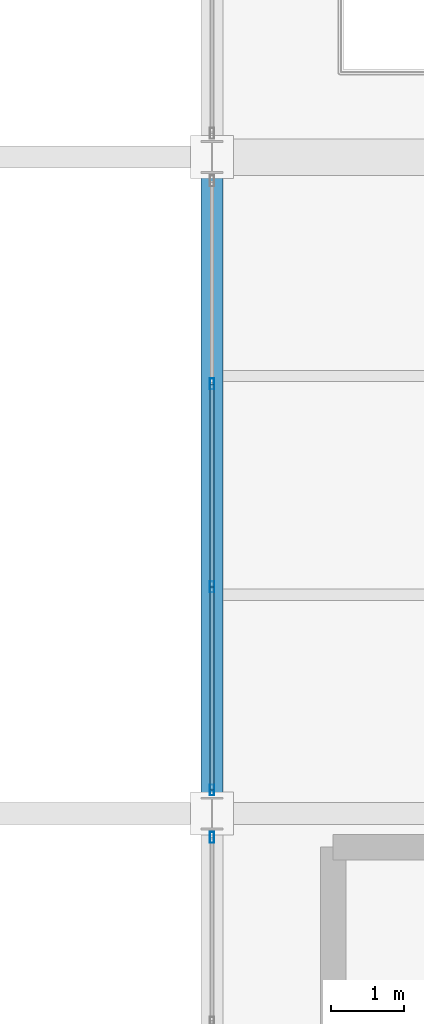
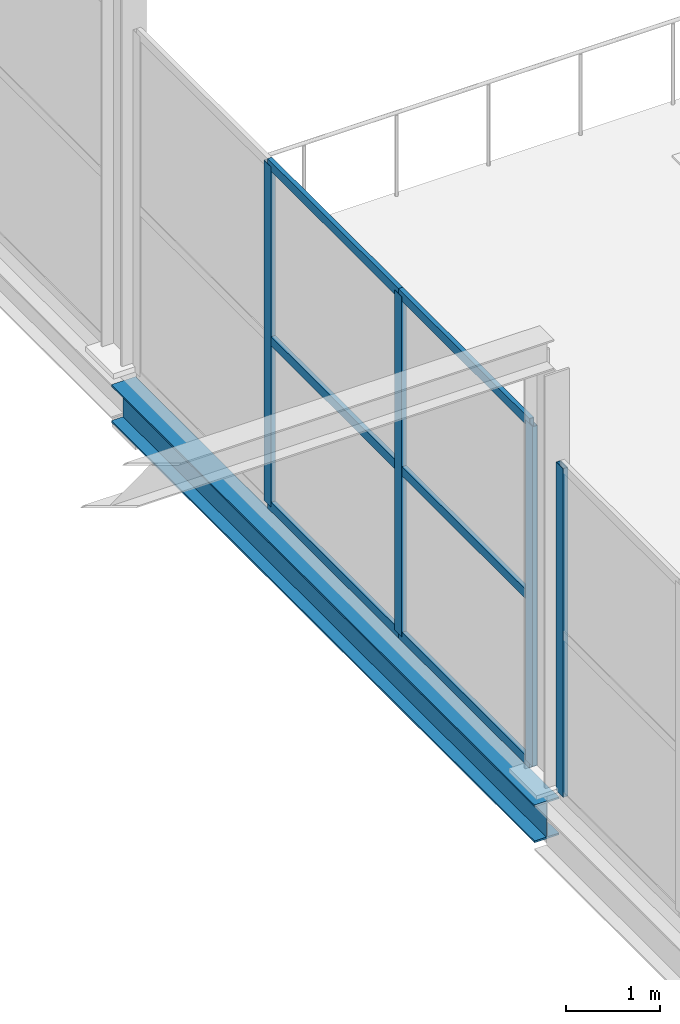
# One storey, part 36 of 147: 10 members, 1 beam, 2 elements without a shape of their own.
"""IFC4 building model written with IfcOpenShell, lengths in metres."""

from ifc_helpers import new_model, si_unit, direction, frame, origin, origin_2d, place, context, subcontext, project, spatial, hollow_rectangle, i_section, extrude, material, layer, layer_set, material_profile, profile_set, type_object, element, aggregate, save


model = new_model("IFC4")

# Units and contexts
model_context = context("Model", 3, precision=1e-05, world=origin(), true_north=direction((0.0, 1.0)))
body_context = subcontext(model_context, "Body", "Model", "MODEL_VIEW")
ifc_project = project(units=[si_unit("LENGTHUNIT", "METRE"), si_unit("AREAUNIT", "SQUARE_METRE"), si_unit("VOLUMEUNIT", "CUBIC_METRE"), si_unit("PLANEANGLEUNIT", "RADIAN"), si_unit("MASSUNIT", "GRAM", prefix="KILO")], contexts=[model_context])

# Site, building, storey
site_placement = place(None, origin())
site = spatial("IfcSite", under=ifc_project, at=site_placement, CompositionType="ELEMENT")
building_placement = place(site_placement, origin())
building = spatial("IfcBuilding", under=site, at=building_placement, Name="Sundgate Opera House", CompositionType="ELEMENT")
storey_placement = place(building_placement, frame((0.0, 0.0, 6.0)))
storey = spatial("IfcBuildingStorey", under=building, at=storey_placement, Name="L01", CompositionType="ELEMENT", Elevation=6.0)

# Beam
ifc_material_1 = material(Name="Steel S355J2", Category="steel")
ifc_material_profile_1 = material_profile(ifc_material_1, i_section(OverallWidth=0.300048828125, OverallDepth=0.489990234375, WebThickness=0.011962890625, FlangeThickness=0.02294921875, at=origin_2d()), Name="HEA 500")
ifc_profile_set_1 = profile_set([ifc_material_profile_1], Name="Steel S355J2")
beam_type = type_object("IfcBeamType", Name="BM-GR-HEA500", PredefinedType="BEAM", material=ifc_profile_set_1)
beam_placement = place(storey_placement, frame((95.39990234375, 33.0, -0.544921875), z_axis=(0.0, 1.0, 0.0), x_axis=(-1.0, 0.0, 0.0)))
element("IfcBeam", 1, at=beam_placement, inside=storey, type_object=beam_type, Name="L01 Primary N-S Girder B1147", PredefinedType="BEAM", context=body_context, shape_type="SweptSolid", body=[
    extrude(i_section(OverallWidth=0.300048828125, OverallDepth=0.489990234375, WebThickness=0.011962890625, FlangeThickness=0.02294921875, at=origin_2d()), origin(), (0.0, 0.0, 1.0), 9.0),
])

# Curtain wall, members
ifc_material_2 = material(Name="Anodized aluminium and low-iron glass", Category="aluminium")
ifc_layer_1 = layer(ifc_material_2, 0.159912109375)
ifc_layer_set_1 = layer_set([ifc_layer_1], Name="Anodized aluminium and low-iron glass")
curtain_wall_type_1 = type_object("IfcCurtainWallType", Name="CW-STUDIO-DARK", PredefinedType="NOTDEFINED", material=ifc_layer_set_1)
curtain_wall_1_placement = place(storey_placement, origin())
curtain_wall_1 = element("IfcCurtainWall", 2, at=curtain_wall_1_placement, inside=storey, type_object=curtain_wall_type_1, Name="L01 Curtain Wall CW044", PredefinedType="NOTDEFINED")
ifc_material_3 = material(Name="Anodized aluminium EN AW-6063", Category="aluminium")
ifc_material_profile_2 = material_profile(ifc_material_3, hollow_rectangle(XDim=0.06005859375, YDim=0.14990234375, WallThickness=0.00390625, at=origin_2d()), Name="CWM 150x60x4")
ifc_profile_set_2 = profile_set([ifc_material_profile_2], Name="Anodized aluminium EN AW-6063")
member_type_1 = type_object("IfcMemberType", Name="CWM-ALU-150x60", PredefinedType="MULLION", material=ifc_profile_set_2)
member_1_placement = place(storey_placement, frame((95.39990234375, 38.8916015625, 0.0), z_axis=(0.0, 0.0, 1.0), x_axis=(1.0, 0.0, 0.0)))
member_1 = element("IfcMember", 3, at=member_1_placement, type_object=member_type_1, Name="CW044 Mullion 2", PredefinedType="MULLION", context=body_context, shape_type="SweptSolid", body=[
    extrude(hollow_rectangle(XDim=0.06005859375, YDim=0.14990234375, WallThickness=0.00390625, at=origin_2d()), origin(), (0.0, 0.0, 1.0), 4.4150390625),
])
member_2_placement = place(storey_placement, frame((95.39990234375, 36.1083984375, 0.0), z_axis=(0.0, 0.0, 1.0), x_axis=(1.0, 0.0, 0.0)))
member_2 = element("IfcMember", 4, at=member_2_placement, type_object=member_type_1, Name="CW044 Mullion 3", PredefinedType="MULLION", context=body_context, shape_type="SweptSolid", body=[
    extrude(hollow_rectangle(XDim=0.06005859375, YDim=0.14990234375, WallThickness=0.00390625, at=origin_2d()), origin(), (0.0, 0.0, 1.0), 4.4150390625),
])
member_3_placement = place(storey_placement, frame((95.39990234375, 33.324951171875, 0.0), z_axis=(0.0, 0.0, 1.0), x_axis=(1.0, 0.0, 0.0)))
member_3 = element("IfcMember", 5, at=member_3_placement, type_object=member_type_1, Name="CW044 Mullion 4", PredefinedType="MULLION", context=body_context, shape_type="SweptSolid", body=[
    extrude(hollow_rectangle(XDim=0.06005859375, YDim=0.14990234375, WallThickness=0.00390625, at=origin_2d()), origin(), (0.0, 0.0, 1.0), 4.4150390625),
])

# Curtain wall, member
ifc_material_4 = material(Name="Anodized aluminium and low-iron glass", Category="aluminium")
ifc_layer_2 = layer(ifc_material_4, 0.14990234375)
ifc_layer_set_2 = layer_set([ifc_layer_2], Name="Anodized aluminium and low-iron glass")
curtain_wall_type_2 = type_object("IfcCurtainWallType", Name="CW-WORKSHOP-DARK", PredefinedType="NOTDEFINED", material=ifc_layer_set_2)
curtain_wall_2_placement = place(storey_placement, origin())
curtain_wall_2 = element("IfcCurtainWall", 6, at=curtain_wall_2_placement, inside=storey, type_object=curtain_wall_type_2, Name="L01 Curtain Wall CW147", PredefinedType="NOTDEFINED")
member_4_placement = place(storey_placement, frame((95.39990234375, 32.675048828125, 0.0), z_axis=(0.0, 0.0, 1.0), x_axis=(1.0, 0.0, 0.0)))
member_4 = element("IfcMember", 7, at=member_4_placement, type_object=member_type_1, Name="CW147 Mullion 1", PredefinedType="MULLION", context=body_context, shape_type="SweptSolid", body=[
    extrude(hollow_rectangle(XDim=0.06005859375, YDim=0.14990234375, WallThickness=0.00390625, at=origin_2d()), origin(), (0.0, 0.0, 1.0), 4.264892578125),
])
aggregate(curtain_wall_2, [member_4])

# Member
ifc_material_5 = material(Name="Anodized aluminium EN AW-6063", Category="aluminium")
ifc_material_profile_3 = material_profile(ifc_material_5, hollow_rectangle(XDim=0.054931640625, YDim=0.1201171875, WallThickness=0.00390625, at=origin_2d()), Name="CWT 120x55x4")
ifc_profile_set_3 = profile_set([ifc_material_profile_3], Name="Anodized aluminium EN AW-6063")
member_type_2 = type_object("IfcMemberType", Name="CWT-ALU-120x55", PredefinedType="USERDEFINED", material=ifc_profile_set_3)
member_5_placement = place(storey_placement, frame((95.39990234375, 38.8916015625, 0.0), z_axis=(0.0, -1.0, 0.0), x_axis=(1.0, 0.0, 0.0)))
member_5 = element("IfcMember", 8, at=member_5_placement, type_object=member_type_2, Name="CW044 Transom 4", ObjectType="TRANSOM", PredefinedType="USERDEFINED", context=body_context, shape_type="SweptSolid", body=[
    extrude(hollow_rectangle(XDim=0.054931640625, YDim=0.1201171875, WallThickness=0.00390625, at=origin_2d()), origin(), (0.0, 0.0, 1.0), 2.783203125),
])

member_6_placement = place(storey_placement, frame((95.39990234375, 38.8916015625, 2.14990234375), z_axis=(0.0, -1.0, 0.0), x_axis=(1.0, 0.0, 0.0)))
member_6 = element("IfcMember", 9, at=member_6_placement, type_object=member_type_2, Name="CW044 Transom 5", ObjectType="TRANSOM", PredefinedType="USERDEFINED", context=body_context, shape_type="SweptSolid", body=[
    extrude(hollow_rectangle(XDim=0.054931640625, YDim=0.1201171875, WallThickness=0.00390625, at=origin_2d()), origin(), (0.0, 0.0, 1.0), 2.783203125),
])

member_7_placement = place(storey_placement, frame((95.39990234375, 38.8916015625, 4.4150390625), z_axis=(0.0, -1.0, 0.0), x_axis=(1.0, 0.0, 0.0)))
member_7 = element("IfcMember", 10, at=member_7_placement, type_object=member_type_2, Name="CW044 Transom 6", ObjectType="TRANSOM", PredefinedType="USERDEFINED", context=body_context, shape_type="SweptSolid", body=[
    extrude(hollow_rectangle(XDim=0.054931640625, YDim=0.1201171875, WallThickness=0.00390625, at=origin_2d()), origin(), (0.0, 0.0, 1.0), 2.783203125),
])

member_8_placement = place(storey_placement, frame((95.39990234375, 36.1083984375, 0.0), z_axis=(0.0, -1.0, 0.0), x_axis=(1.0, 0.0, 0.0)))
member_8 = element("IfcMember", 11, at=member_8_placement, type_object=member_type_2, Name="CW044 Transom 7", ObjectType="TRANSOM", PredefinedType="USERDEFINED", context=body_context, shape_type="SweptSolid", body=[
    extrude(hollow_rectangle(XDim=0.054931640625, YDim=0.1201171875, WallThickness=0.00390625, at=origin_2d()), origin(), (0.0, 0.0, 1.0), 2.783447265625),
])

member_9_placement = place(storey_placement, frame((95.39990234375, 36.1083984375, 2.14990234375), z_axis=(0.0, -1.0, 0.0), x_axis=(1.0, 0.0, 0.0)))
member_9 = element("IfcMember", 12, at=member_9_placement, type_object=member_type_2, Name="CW044 Transom 8", ObjectType="TRANSOM", PredefinedType="USERDEFINED", context=body_context, shape_type="SweptSolid", body=[
    extrude(hollow_rectangle(XDim=0.054931640625, YDim=0.1201171875, WallThickness=0.00390625, at=origin_2d()), origin(), (0.0, 0.0, 1.0), 2.783447265625),
])

member_10_placement = place(storey_placement, frame((95.39990234375, 36.1083984375, 4.4150390625), z_axis=(0.0, -1.0, 0.0), x_axis=(1.0, 0.0, 0.0)))
member_10 = element("IfcMember", 13, at=member_10_placement, type_object=member_type_2, Name="CW044 Transom 9", ObjectType="TRANSOM", PredefinedType="USERDEFINED", context=body_context, shape_type="SweptSolid", body=[
    extrude(hollow_rectangle(XDim=0.054931640625, YDim=0.1201171875, WallThickness=0.00390625, at=origin_2d()), origin(), (0.0, 0.0, 1.0), 2.783447265625),
])

aggregate(curtain_wall_1, [member_1, member_2, member_3, member_5, member_6, member_7, member_8, member_9, member_10])

save(model, "model.ifc")
